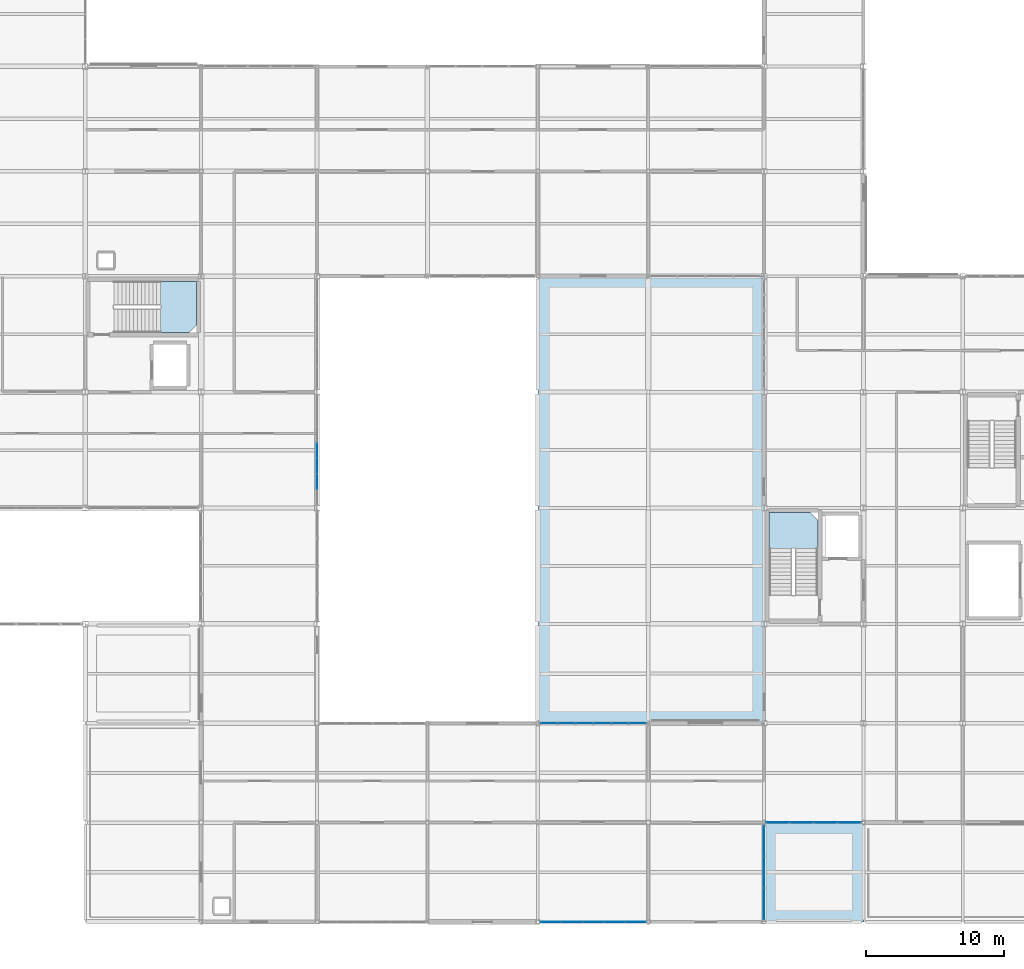
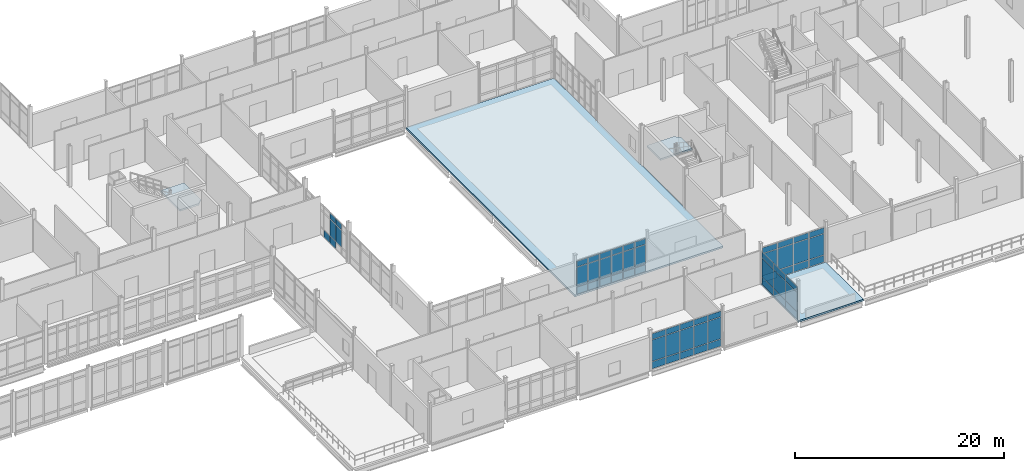
# One storey, part 124 of 186: 60 plates, 4 slabs, 7 elements without a shape of their own.
"""IFC4 building model written with IfcOpenShell, lengths in metres."""

import ifcopenshell
import ifcopenshell.guid

model = None  # the IFC model being written
_history = None  # IfcOwnerHistory: only IFC2X3 demands one
_inside = {}  # id of a spatial element -> (the spatial element, [elements in it])
_under = {}  # id of a project, library or spatial element -> (it, [spatial elements below it])
_declared = {}  # id of a project -> (the project, [libraries it declares])
_typed = {}  # id of a type object -> (the type object, [elements of that type])
_made_of = {}  # id of a material, layer set ... -> (it, [elements and type objects made of it])


def new_model(schema):
    """Start an empty IFC model of exactly this schema.

    Asked for "IFC4X3", IfcOpenShell would pick the latest addendum, in which some entities
    have other attributes; the version numbers below select the first issue.
    IFC2X3 requires an IfcOwnerHistory on every rooted entity: one is made here for all.
    """
    global model, _history
    if schema == "IFC4X3":
        model = ifcopenshell.file(schema_version=(4, 3, 0, 0))
    else:
        model = ifcopenshell.file(schema=schema)
    _inside.clear()
    _under.clear()
    _declared.clear()
    _typed.clear()
    _made_of.clear()
    _history = None
    if model.schema == "IFC2X3":
        org = make("IfcOrganization", Name="unknown")
        user = make(
            "IfcPersonAndOrganization",
            ThePerson=make("IfcPerson", FamilyName="unknown"),
            TheOrganization=org,
        )
        app = make(
            "IfcApplication",
            ApplicationDeveloper=org,
            Version="unknown",
            ApplicationFullName="unknown",
            ApplicationIdentifier="unknown",
        )
        _history = make(
            "IfcOwnerHistory",
            OwningUser=user,
            OwningApplication=app,
            ChangeAction="ADDED",
            CreationDate=0,
        )
    return model


def make(cls, **values):
    """One entity of the class cls with the attributes given. An attribute that is None is left unset."""
    return model.create_entity(
        cls, **{name: value for name, value in values.items() if value is not None}
    )


def rooted(cls, **values):
    """An entity with a GlobalId (a new one), such as an element, a storey or a relation."""
    return make(cls, GlobalId=ifcopenshell.guid.new(), OwnerHistory=_history, **values)


def si_unit(unit_type, name, prefix=None):
    """IfcSIUnit, for example si_unit("LENGTHUNIT", "METRE", prefix="MILLI")."""
    return make("IfcSIUnit", UnitType=unit_type, Prefix=prefix, Name=name)


def assignment(units):
    """IfcUnitAssignment: the units of a project."""
    return None if units is None else make("IfcUnitAssignment", Units=units)


def point(xyz):
    """IfcCartesianPoint."""
    return None if xyz is None else make("IfcCartesianPoint", Coordinates=xyz)


def direction(xyz):
    """IfcDirection."""
    return None if xyz is None else make("IfcDirection", DirectionRatios=xyz)


def frame(location, z_axis=None, x_axis=None):
    """IfcAxis2Placement3D, a coordinate frame: its origin and axes. An axis left out is left unset."""
    return make(
        "IfcAxis2Placement3D",
        Location=point(location),
        Axis=direction(z_axis),
        RefDirection=direction(x_axis),
    )


def frame_2d(location, x_axis=None):
    """IfcAxis2Placement2D, a coordinate frame in the plane: its origin and x axis."""
    return make(
        "IfcAxis2Placement2D", Location=point(location), RefDirection=direction(x_axis)
    )


def origin():
    """The frame at (0, 0, 0) with its axes left unset."""
    return frame((0.0, 0.0, 0.0))


def origin_2d():
    """The frame at (0, 0) in the plane with its x axis left unset."""
    return frame_2d((0.0, 0.0))


def place(relative_to, where):
    """IfcLocalPlacement: puts the frame where relative to a parent placement (None: the world)."""
    return make(
        "IfcLocalPlacement", PlacementRelTo=relative_to, RelativePlacement=where
    )


def context(
    kind, dimensions, precision=None, world=None, true_north=None, identifier=None
):
    """IfcGeometricRepresentationContext, for example the 3D "Model" context."""
    return make(
        "IfcGeometricRepresentationContext",
        ContextIdentifier=identifier,
        ContextType=kind,
        CoordinateSpaceDimension=dimensions,
        Precision=precision,
        WorldCoordinateSystem=world,
        TrueNorth=true_north,
    )


def subcontext(parent, identifier, kind, view, scale=None):
    """IfcGeometricRepresentationSubContext, for example "Body" below "Model"."""
    return make(
        "IfcGeometricRepresentationSubContext",
        ContextIdentifier=identifier,
        ContextType=kind,
        ParentContext=parent,
        TargetScale=scale,
        TargetView=view,
    )


def project(units=None, contexts=None):
    """IfcProject with its units and contexts."""
    return rooted(
        "IfcProject",
        Name="project",
        RepresentationContexts=contexts,
        UnitsInContext=assignment(units),
    )


def spatial(cls, under=None, at=None, **own):
    """A site, building, storey or space (cls), placed at a placement, below another one or the project."""
    s = rooted(cls, ObjectPlacement=at, **own)
    if under is not None:
        _under.setdefault(under.id(), (under, []))[1].append(s)
    return s


def polyline(points):
    """IfcPolyline through the points."""
    return make("IfcPolyline", Points=[point(p) for p in points])


def profile(cls, at=None, kind="AREA", **sizes):
    """A parametric profile (cls). Its sizes go by their IFC names, for example OverallWidth=200.0."""
    return make(cls, ProfileType=kind, Position=at, **sizes)


def rectangle(**sizes):
    """IfcRectangleProfileDef."""
    return profile("IfcRectangleProfileDef", **sizes)


def outline(outer, holes=None, kind="AREA"):
    """IfcArbitraryClosedProfileDef: a profile drawn as a closed curve; with holes, ...WithVoids."""
    if holes is None:
        return make("IfcArbitraryClosedProfileDef", ProfileType=kind, OuterCurve=outer)
    return make(
        "IfcArbitraryProfileDefWithVoids",
        ProfileType=kind,
        OuterCurve=outer,
        InnerCurves=holes,
    )


def extrude(swept, where, along, depth):
    """IfcExtrudedAreaSolid: the profile swept, set in the frame where, extruded along a direction by depth."""
    return make(
        "IfcExtrudedAreaSolid",
        SweptArea=swept,
        Position=where,
        ExtrudedDirection=direction(along),
        Depth=depth,
    )


def shape(context_of_items, identifier, shape_type, items):
    """IfcShapeRepresentation: the items that make up one representation, for example the "Body"."""
    return make(
        "IfcShapeRepresentation",
        ContextOfItems=context_of_items,
        RepresentationIdentifier=identifier,
        RepresentationType=shape_type,
        Items=items,
    )


def material(Name=None, Category=None):
    """IfcMaterial."""
    return make("IfcMaterial", Name=Name, Category=Category)


def layer(
    of_material, thickness, ventilated=None, Name=None, Category=None, Priority=None
):
    """IfcMaterialLayer: one layer of a wall or slab, of a material (None: an air gap)."""
    return make(
        "IfcMaterialLayer",
        Material=of_material,
        LayerThickness=thickness,
        IsVentilated=ventilated,
        Name=Name,
        Category=Category,
        Priority=Priority,
    )


def layer_set(layers, Name=None):
    """IfcMaterialLayerSet."""
    return make("IfcMaterialLayerSet", MaterialLayers=layers, LayerSetName=Name)


def made_of(thing, what):
    """Note that an element or type object is made of a material, layer set ...; save() writes the relation."""
    if what is not None:
        _made_of.setdefault(what.id(), (what, []))[1].append(thing)
    return thing


def type_object(cls, material=None, **own):
    """A type object (cls), such as IfcWallType, which elements share."""
    return made_of(rooted(cls, **own), material)


def element(
    cls,
    number,
    at=None,
    inside=None,
    cuts=None,
    type_object=None,
    material=None,
    context=None,
    identifier="Body",
    shape_type=None,
    held_by="IfcProductDefinitionShape",
    body=None,
    shapes=None,
    **own,
):
    """One element of the class cls, such as IfcWall. Its Tag is "e" and its number.

    at: its placement. inside: the storey or other place that contains it. cuts: it is an
    opening in that element (IfcRelVoidsElement). A single representation is given by context,
    identifier, shape_type and body (its items); several are given by shapes. held_by: the class
    of the entity that holds the representations. save() writes the other relations.
    """
    e = rooted(cls, Tag="e%d" % number, ObjectPlacement=at, **own)
    if body is not None:
        shapes = [shape(context, identifier, shape_type, body)]
    if shapes is not None:
        e.Representation = make(held_by, Representations=shapes)
    if inside is not None:
        _inside.setdefault(inside.id(), (inside, []))[1].append(e)
    if cuts is not None:
        rooted(
            "IfcRelVoidsElement", RelatingBuildingElement=cuts, RelatedOpeningElement=e
        )
    if type_object is not None:
        _typed.setdefault(type_object.id(), (type_object, []))[1].append(e)
    return made_of(e, material)


def aggregate(whole, parts):
    """IfcRelAggregates: a whole, such as a stair, and the parts it consists of."""
    return rooted("IfcRelAggregates", RelatingObject=whole, RelatedObjects=parts)


def save(model, path):
    """Write the relations noted so far, then the file.

    IfcRelAggregates (storeys below a building ...), IfcRelContainedInSpatialStructure (elements
    in a storey), IfcRelDefinesByType, IfcRelAssociatesMaterial and IfcRelDeclares: one each for
    every whole, place, type object, material and project.
    """
    for whole, parts in _under.values():
        aggregate(whole, parts)
    for where, things in _inside.values():
        rooted(
            "IfcRelContainedInSpatialStructure",
            RelatedElements=things,
            RelatingStructure=where,
        )
    for kind, things in _typed.values():
        rooted("IfcRelDefinesByType", RelatedObjects=things, RelatingType=kind)
    for what, things in _made_of.values():
        rooted("IfcRelAssociatesMaterial", RelatedObjects=things, RelatingMaterial=what)
    for by, libraries in _declared.values():
        rooted("IfcRelDeclares", RelatingContext=by, RelatedDefinitions=libraries)
    model.write(path)


model = new_model("IFC4")

# Units and contexts
model_context = context("Model", 3, precision=1e-05, world=origin(), true_north=direction((0.0, 1.0)))
body_context = subcontext(model_context, "Body", "Model", "MODEL_VIEW")
ifc_project = project(units=[si_unit("LENGTHUNIT", "METRE"), si_unit("AREAUNIT", "SQUARE_METRE"), si_unit("VOLUMEUNIT", "CUBIC_METRE"), si_unit("PLANEANGLEUNIT", "RADIAN"), si_unit("MASSUNIT", "GRAM", prefix="KILO")], contexts=[model_context])

# Site, building, storey
site_placement = place(None, origin())
site = spatial("IfcSite", under=ifc_project, at=site_placement, CompositionType="ELEMENT")
building_placement = place(site_placement, origin())
building = spatial("IfcBuilding", under=site, at=building_placement, Name="Calvrana Isthmian Art Gallery", CompositionType="ELEMENT")
storey_placement = place(building_placement, frame((0.0, 0.0, 5.39990234375)))
storey = spatial("IfcBuildingStorey", under=building, at=storey_placement, Name="L01", CompositionType="ELEMENT", Elevation=5.39990234375)

# Curtain wall, plates
ifc_material_1 = material(Name="Anodized bronze aluminium 6063-T6", Category="aluminium")
ifc_layer_1 = layer(ifc_material_1, 0.179931640625, Name="Anodized bronze aluminium 6063-T6")
ifc_layer_set_1 = layer_set([ifc_layer_1], Name="Anodized bronze aluminium 6063-T6")
curtain_wall_type_1 = type_object("IfcCurtainWallType", Name="CW-STICK-077X42", PredefinedType="NOTDEFINED", material=ifc_layer_set_1)
curtain_wall_1_placement = place(storey_placement, origin())
curtain_wall_1 = element("IfcCurtainWall", 1, at=curtain_wall_1_placement, inside=storey, type_object=curtain_wall_type_1, Name="Curtain wall CW-085", PredefinedType="NOTDEFINED")
ifc_material_2 = material(Name="Polychrome glazed terracotta", Category="masonry")
ifc_layer_2 = layer(ifc_material_2, 0.033935546875, Name="Polychrome glazed terracotta")
ifc_layer_set_2 = layer_set([ifc_layer_2], Name="Polychrome glazed terracotta")
plate_type_1 = type_object("IfcPlateType", Name="CWP-SPANDREL-34", PredefinedType="CURTAIN_PANEL", material=ifc_layer_set_2)
plate_1_placement = place(storey_placement, frame((103.5087890625, 0.0, 0.06005859375), z_axis=(0.0, 0.0, 1.0), x_axis=(-1.0, 0.0, 0.0)))
plate_1 = element("IfcPlate", 2, at=plate_1_placement, type_object=plate_type_1, Name="CW-085 panel 1.1", PredefinedType="CURTAIN_PANEL", context=body_context, shape_type="SweptSolid", body=[
    extrude(rectangle(XDim=1.459228515625, YDim=0.033935546875, at=origin_2d()), origin(), (0.0, 0.0, 1.0), 0.81005859375),
])
plate_2_placement = place(storey_placement, frame((103.5087890625, 0.0, 0.93017578125), z_axis=(0.0, 0.0, 1.0), x_axis=(-1.0, 0.0, 0.0)))
plate_2 = element("IfcPlate", 3, at=plate_2_placement, type_object=plate_type_1, Name="CW-085 panel 1.2", PredefinedType="CURTAIN_PANEL", context=body_context, shape_type="SweptSolid", body=[
    extrude(rectangle(XDim=1.459228515625, YDim=0.033935546875, at=origin_2d()), origin(), (0.0, 0.0, 1.0), 2.505126953125),
])
plate_3_placement = place(storey_placement, frame((103.5087890625, 0.0, 3.4951171875), z_axis=(0.0, 0.0, 1.0), x_axis=(-1.0, 0.0, 0.0)))
plate_3 = element("IfcPlate", 4, at=plate_3_placement, type_object=plate_type_1, Name="CW-085 panel 1.3", PredefinedType="CURTAIN_PANEL", context=body_context, shape_type="SweptSolid", body=[
    extrude(rectangle(XDim=1.459228515625, YDim=0.033935546875, at=origin_2d()), origin(), (0.0, 0.0, 1.0), 0.659912109375),
])
plate_4_placement = place(storey_placement, frame((101.974609375, 0.0, 0.06005859375), z_axis=(0.0, 0.0, 1.0), x_axis=(-1.0, 0.0, 0.0)))
plate_4 = element("IfcPlate", 5, at=plate_4_placement, type_object=plate_type_1, Name="CW-085 panel 2.1", PredefinedType="CURTAIN_PANEL", context=body_context, shape_type="SweptSolid", body=[
    extrude(rectangle(XDim=1.4892578125, YDim=0.033935546875, at=origin_2d()), origin(), (0.0, 0.0, 1.0), 0.81005859375),
])
plate_5_placement = place(storey_placement, frame((101.974609375, 0.0, 0.93017578125), z_axis=(0.0, 0.0, 1.0), x_axis=(-1.0, 0.0, 0.0)))
plate_5 = element("IfcPlate", 6, at=plate_5_placement, type_object=plate_type_1, Name="CW-085 panel 2.2", PredefinedType="CURTAIN_PANEL", context=body_context, shape_type="SweptSolid", body=[
    extrude(rectangle(XDim=1.4892578125, YDim=0.033935546875, at=origin_2d()), origin(), (0.0, 0.0, 1.0), 2.505126953125),
])
plate_6_placement = place(storey_placement, frame((101.974609375, 0.0, 3.4951171875), z_axis=(0.0, 0.0, 1.0), x_axis=(-1.0, 0.0, 0.0)))
plate_6 = element("IfcPlate", 7, at=plate_6_placement, type_object=plate_type_1, Name="CW-085 panel 2.3", PredefinedType="CURTAIN_PANEL", context=body_context, shape_type="SweptSolid", body=[
    extrude(rectangle(XDim=1.4892578125, YDim=0.033935546875, at=origin_2d()), origin(), (0.0, 0.0, 1.0), 0.659912109375),
])
plate_7_placement = place(storey_placement, frame((100.42529296875, 0.0, 0.06005859375), z_axis=(0.0, 0.0, 1.0), x_axis=(-1.0, 0.0, 0.0)))
plate_7 = element("IfcPlate", 8, at=plate_7_placement, type_object=plate_type_1, Name="CW-085 panel 3.1", PredefinedType="CURTAIN_PANEL", context=body_context, shape_type="SweptSolid", body=[
    extrude(rectangle(XDim=1.4892578125, YDim=0.033935546875, at=origin_2d()), origin(), (0.0, 0.0, 1.0), 0.81005859375),
])
plate_8_placement = place(storey_placement, frame((100.42529296875, 0.0, 0.93017578125), z_axis=(0.0, 0.0, 1.0), x_axis=(-1.0, 0.0, 0.0)))
plate_8 = element("IfcPlate", 9, at=plate_8_placement, type_object=plate_type_1, Name="CW-085 panel 3.2", PredefinedType="CURTAIN_PANEL", context=body_context, shape_type="SweptSolid", body=[
    extrude(rectangle(XDim=1.4892578125, YDim=0.033935546875, at=origin_2d()), origin(), (0.0, 0.0, 1.0), 2.505126953125),
])
plate_9_placement = place(storey_placement, frame((100.42529296875, 0.0, 3.4951171875), z_axis=(0.0, 0.0, 1.0), x_axis=(-1.0, 0.0, 0.0)))
plate_9 = element("IfcPlate", 10, at=plate_9_placement, type_object=plate_type_1, Name="CW-085 panel 3.3", PredefinedType="CURTAIN_PANEL", context=body_context, shape_type="SweptSolid", body=[
    extrude(rectangle(XDim=1.4892578125, YDim=0.033935546875, at=origin_2d()), origin(), (0.0, 0.0, 1.0), 0.659912109375),
])
plate_10_placement = place(storey_placement, frame((98.876220703125, 0.0, 0.06005859375), z_axis=(0.0, 0.0, 1.0), x_axis=(-1.0, 0.0, 0.0)))
plate_10 = element("IfcPlate", 11, at=plate_10_placement, type_object=plate_type_1, Name="CW-085 panel 4.1", PredefinedType="CURTAIN_PANEL", context=body_context, shape_type="SweptSolid", body=[
    extrude(rectangle(XDim=1.4892578125, YDim=0.033935546875, at=origin_2d()), origin(), (0.0, 0.0, 1.0), 0.81005859375),
])
plate_11_placement = place(storey_placement, frame((98.876220703125, 0.0, 0.93017578125), z_axis=(0.0, 0.0, 1.0), x_axis=(-1.0, 0.0, 0.0)))
plate_11 = element("IfcPlate", 12, at=plate_11_placement, type_object=plate_type_1, Name="CW-085 panel 4.2", PredefinedType="CURTAIN_PANEL", context=body_context, shape_type="SweptSolid", body=[
    extrude(rectangle(XDim=1.4892578125, YDim=0.033935546875, at=origin_2d()), origin(), (0.0, 0.0, 1.0), 2.505126953125),
])
plate_12_placement = place(storey_placement, frame((98.876220703125, 0.0, 3.4951171875), z_axis=(0.0, 0.0, 1.0), x_axis=(-1.0, 0.0, 0.0)))
plate_12 = element("IfcPlate", 13, at=plate_12_placement, type_object=plate_type_1, Name="CW-085 panel 4.3", PredefinedType="CURTAIN_PANEL", context=body_context, shape_type="SweptSolid", body=[
    extrude(rectangle(XDim=1.4892578125, YDim=0.033935546875, at=origin_2d()), origin(), (0.0, 0.0, 1.0), 0.659912109375),
])
plate_13_placement = place(storey_placement, frame((97.342041015625, 0.0, 0.06005859375), z_axis=(0.0, 0.0, 1.0), x_axis=(-1.0, 0.0, 0.0)))
plate_13 = element("IfcPlate", 14, at=plate_13_placement, type_object=plate_type_1, Name="CW-085 panel 5.1", PredefinedType="CURTAIN_PANEL", context=body_context, shape_type="SweptSolid", body=[
    extrude(rectangle(XDim=1.459228515625, YDim=0.033935546875, at=origin_2d()), origin(), (0.0, 0.0, 1.0), 0.81005859375),
])
plate_14_placement = place(storey_placement, frame((97.342041015625, 0.0, 0.93017578125), z_axis=(0.0, 0.0, 1.0), x_axis=(-1.0, 0.0, 0.0)))
plate_14 = element("IfcPlate", 15, at=plate_14_placement, type_object=plate_type_1, Name="CW-085 panel 5.2", PredefinedType="CURTAIN_PANEL", context=body_context, shape_type="SweptSolid", body=[
    extrude(rectangle(XDim=1.459228515625, YDim=0.033935546875, at=origin_2d()), origin(), (0.0, 0.0, 1.0), 2.505126953125),
])
plate_15_placement = place(storey_placement, frame((97.342041015625, 0.0, 3.4951171875), z_axis=(0.0, 0.0, 1.0), x_axis=(-1.0, 0.0, 0.0)))
plate_15 = element("IfcPlate", 16, at=plate_15_placement, type_object=plate_type_1, Name="CW-085 panel 5.3", PredefinedType="CURTAIN_PANEL", context=body_context, shape_type="SweptSolid", body=[
    extrude(rectangle(XDim=1.459228515625, YDim=0.033935546875, at=origin_2d()), origin(), (0.0, 0.0, 1.0), 0.659912109375),
])
aggregate(curtain_wall_1, [plate_1, plate_2, plate_3, plate_4, plate_5, plate_6, plate_7, plate_8, plate_9, plate_10, plate_11, plate_12, plate_13, plate_14, plate_15])

ifc_layer_3 = layer(ifc_material_1, 0.179931640625, Name="Anodized bronze aluminium 6063-T6")
ifc_layer_set_3 = layer_set([ifc_layer_3], Name="Anodized bronze aluminium 6063-T6")
curtain_wall_type_2 = type_object("IfcCurtainWallType", Name="CW-UNIT-069X39", PredefinedType="USERDEFINED", material=ifc_layer_set_3)
curtain_wall_2_placement = place(storey_placement, origin())
curtain_wall_2 = element("IfcCurtainWall", 17, at=curtain_wall_2_placement, inside=storey, type_object=curtain_wall_type_2, Name="Curtain wall CW-135", ObjectType="UNITISED CURTAIN WALL", PredefinedType="USERDEFINED")
plate_16_placement = place(storey_placement, frame((112.800048828125, 5.876708984375, 0.06005859375), z_axis=(0.0, 0.0, 1.0), x_axis=(0.0, -1.0, 0.0)))
plate_16 = element("IfcPlate", 18, at=plate_16_placement, type_object=plate_type_1, Name="CW-135 panel 1.1", PredefinedType="CURTAIN_PANEL", context=body_context, shape_type="SweptSolid", body=[
    extrude(rectangle(XDim=2.201904296875, YDim=0.033935546875, at=origin_2d()), origin(), (0.0, 0.0, 1.0), 0.81005859375),
])
plate_17_placement = place(storey_placement, frame((112.800048828125, 5.876708984375, 0.93017578125), z_axis=(0.0, 0.0, 1.0), x_axis=(0.0, -1.0, 0.0)))
plate_17 = element("IfcPlate", 19, at=plate_17_placement, type_object=plate_type_1, Name="CW-135 panel 1.2", PredefinedType="CURTAIN_PANEL", context=body_context, shape_type="SweptSolid", body=[
    extrude(rectangle(XDim=2.201904296875, YDim=0.033935546875, at=origin_2d()), origin(), (0.0, 0.0, 1.0), 2.202880859375),
])
plate_18_placement = place(storey_placement, frame((112.800048828125, 5.876708984375, 3.193359375), z_axis=(0.0, 0.0, 1.0), x_axis=(0.0, -1.0, 0.0)))
plate_18 = element("IfcPlate", 20, at=plate_18_placement, type_object=plate_type_1, Name="CW-135 panel 1.3", PredefinedType="CURTAIN_PANEL", context=body_context, shape_type="SweptSolid", body=[
    extrude(rectangle(XDim=2.201904296875, YDim=0.033935546875, at=origin_2d()), origin(), (0.0, 0.0, 1.0), 0.659912109375),
])
plate_19_placement = place(storey_placement, frame((112.800048828125, 3.58740234375, 0.06005859375), z_axis=(0.0, 0.0, 1.0), x_axis=(0.0, -1.0, 0.0)))
plate_19 = element("IfcPlate", 21, at=plate_19_placement, type_object=plate_type_1, Name="CW-135 panel 2.1", PredefinedType="CURTAIN_PANEL", context=body_context, shape_type="SweptSolid", body=[
    extrude(rectangle(XDim=2.23681640625, YDim=0.033935546875, at=origin_2d()), origin(), (0.0, 0.0, 1.0), 0.81005859375),
])
plate_20_placement = place(storey_placement, frame((112.800048828125, 3.58740234375, 0.93017578125), z_axis=(0.0, 0.0, 1.0), x_axis=(0.0, -1.0, 0.0)))
plate_20 = element("IfcPlate", 22, at=plate_20_placement, type_object=plate_type_1, Name="CW-135 panel 2.2", PredefinedType="CURTAIN_PANEL", context=body_context, shape_type="SweptSolid", body=[
    extrude(rectangle(XDim=2.23681640625, YDim=0.033935546875, at=origin_2d()), origin(), (0.0, 0.0, 1.0), 2.202880859375),
])
plate_21_placement = place(storey_placement, frame((112.800048828125, 3.58740234375, 3.193359375), z_axis=(0.0, 0.0, 1.0), x_axis=(0.0, -1.0, 0.0)))
plate_21 = element("IfcPlate", 23, at=plate_21_placement, type_object=plate_type_1, Name="CW-135 panel 2.3", PredefinedType="CURTAIN_PANEL", context=body_context, shape_type="SweptSolid", body=[
    extrude(rectangle(XDim=2.23681640625, YDim=0.033935546875, at=origin_2d()), origin(), (0.0, 0.0, 1.0), 0.659912109375),
])
plate_22_placement = place(storey_placement, frame((112.800048828125, 1.2978515625, 0.06005859375), z_axis=(0.0, 0.0, 1.0), x_axis=(0.0, -1.0, 0.0)))
plate_22 = element("IfcPlate", 24, at=plate_22_placement, type_object=plate_type_1, Name="CW-135 panel 3.1", PredefinedType="CURTAIN_PANEL", context=body_context, shape_type="SweptSolid", body=[
    extrude(rectangle(XDim=2.201904296875, YDim=0.033935546875, at=origin_2d()), origin(), (0.0, 0.0, 1.0), 0.81005859375),
])
plate_23_placement = place(storey_placement, frame((112.800048828125, 1.2978515625, 0.93017578125), z_axis=(0.0, 0.0, 1.0), x_axis=(0.0, -1.0, 0.0)))
plate_23 = element("IfcPlate", 25, at=plate_23_placement, type_object=plate_type_1, Name="CW-135 panel 3.2", PredefinedType="CURTAIN_PANEL", context=body_context, shape_type="SweptSolid", body=[
    extrude(rectangle(XDim=2.201904296875, YDim=0.033935546875, at=origin_2d()), origin(), (0.0, 0.0, 1.0), 2.202880859375),
])
plate_24_placement = place(storey_placement, frame((112.800048828125, 1.2978515625, 3.193359375), z_axis=(0.0, 0.0, 1.0), x_axis=(0.0, -1.0, 0.0)))
plate_24 = element("IfcPlate", 26, at=plate_24_placement, type_object=plate_type_1, Name="CW-135 panel 3.3", PredefinedType="CURTAIN_PANEL", context=body_context, shape_type="SweptSolid", body=[
    extrude(rectangle(XDim=2.201904296875, YDim=0.033935546875, at=origin_2d()), origin(), (0.0, 0.0, 1.0), 0.659912109375),
])
aggregate(curtain_wall_2, [plate_16, plate_17, plate_18, plate_19, plate_20, plate_21, plate_22, plate_23, plate_24])

ifc_layer_4 = layer(ifc_material_1, 0.179931640625, Name="Anodized bronze aluminium 6063-T6")
ifc_layer_set_4 = layer_set([ifc_layer_4], Name="Anodized bronze aluminium 6063-T6")
curtain_wall_type_3 = type_object("IfcCurtainWallType", Name="CW-UNIT-070X42", PredefinedType="USERDEFINED", material=ifc_layer_set_4)
curtain_wall_3_placement = place(storey_placement, origin())
curtain_wall_3 = element("IfcCurtainWall", 27, at=curtain_wall_3_placement, inside=storey, type_object=curtain_wall_type_3, Name="Curtain wall CW-086", ObjectType="UNITISED CURTAIN WALL", PredefinedType="USERDEFINED")
ifc_material_3 = material(Name="Low-E laminated solar glass", Category="glass")
ifc_layer_5 = layer(ifc_material_3, 0.028076171875, Name="Low-E laminated solar glass")
ifc_layer_set_5 = layer_set([ifc_layer_5], Name="Low-E laminated solar glass")
plate_type_2 = type_object("IfcPlateType", Name="CWP-VISION-28", PredefinedType="CURTAIN_PANEL", material=ifc_layer_set_5)
plate_25_placement = place(storey_placement, frame((118.9853515625, 7.199951171875, 0.06005859375), z_axis=(0.0, 0.0, 1.0), x_axis=(-1.0, 0.0, 0.0)))
plate_25 = element("IfcPlate", 28, at=plate_25_placement, type_object=plate_type_2, Name="CW-086 panel 1.1", PredefinedType="CURTAIN_PANEL", context=body_context, shape_type="SweptSolid", body=[
    extrude(rectangle(XDim=1.645263671875, YDim=0.028076171875, at=origin_2d()), origin(), (0.0, 0.0, 1.0), 0.81005859375),
])
plate_26_placement = place(storey_placement, frame((118.9853515625, 7.199951171875, 0.929931640625), z_axis=(0.0, 0.0, 1.0), x_axis=(-1.0, 0.0, 0.0)))
plate_26 = element("IfcPlate", 29, at=plate_26_placement, type_object=plate_type_2, Name="CW-086 panel 1.2", PredefinedType="CURTAIN_PANEL", context=body_context, shape_type="SweptSolid", body=[
    extrude(rectangle(XDim=1.645263671875, YDim=0.028076171875, at=origin_2d()), origin(), (0.0, 0.0, 1.0), 2.4541015625),
])
plate_27_placement = place(storey_placement, frame((118.9853515625, 7.199951171875, 3.4443359375), z_axis=(0.0, 0.0, 1.0), x_axis=(-1.0, 0.0, 0.0)))
plate_27 = element("IfcPlate", 30, at=plate_27_placement, type_object=plate_type_2, Name="CW-086 panel 1.3", PredefinedType="CURTAIN_PANEL", context=body_context, shape_type="SweptSolid", body=[
    extrude(rectangle(XDim=1.645263671875, YDim=0.028076171875, at=origin_2d()), origin(), (0.0, 0.0, 1.0), 0.659912109375),
])
plate_28_placement = place(storey_placement, frame((117.2587890625, 7.199951171875, 0.06005859375), z_axis=(0.0, 0.0, 1.0), x_axis=(-1.0, 0.0, 0.0)))
plate_28 = element("IfcPlate", 31, at=plate_28_placement, type_object=plate_type_2, Name="CW-086 panel 2.1", PredefinedType="CURTAIN_PANEL", context=body_context, shape_type="SweptSolid", body=[
    extrude(rectangle(XDim=1.677734375, YDim=0.028076171875, at=origin_2d()), origin(), (0.0, 0.0, 1.0), 0.81005859375),
])
plate_29_placement = place(storey_placement, frame((117.2587890625, 7.199951171875, 0.929931640625), z_axis=(0.0, 0.0, 1.0), x_axis=(-1.0, 0.0, 0.0)))
plate_29 = element("IfcPlate", 32, at=plate_29_placement, type_object=plate_type_2, Name="CW-086 panel 2.2", PredefinedType="CURTAIN_PANEL", context=body_context, shape_type="SweptSolid", body=[
    extrude(rectangle(XDim=1.677734375, YDim=0.028076171875, at=origin_2d()), origin(), (0.0, 0.0, 1.0), 2.4541015625),
])
plate_30_placement = place(storey_placement, frame((117.2587890625, 7.199951171875, 3.4443359375), z_axis=(0.0, 0.0, 1.0), x_axis=(-1.0, 0.0, 0.0)))
plate_30 = element("IfcPlate", 33, at=plate_30_placement, type_object=plate_type_2, Name="CW-086 panel 2.3", PredefinedType="CURTAIN_PANEL", context=body_context, shape_type="SweptSolid", body=[
    extrude(rectangle(XDim=1.677734375, YDim=0.028076171875, at=origin_2d()), origin(), (0.0, 0.0, 1.0), 0.659912109375),
])
plate_31_placement = place(storey_placement, frame((115.515869140625, 7.199951171875, 0.06005859375), z_axis=(0.0, 0.0, 1.0), x_axis=(-1.0, 0.0, 0.0)))
plate_31 = element("IfcPlate", 34, at=plate_31_placement, type_object=plate_type_2, Name="CW-086 panel 3.1", PredefinedType="CURTAIN_PANEL", context=body_context, shape_type="SweptSolid", body=[
    extrude(rectangle(XDim=1.677734375, YDim=0.028076171875, at=origin_2d()), origin(), (0.0, 0.0, 1.0), 0.81005859375),
])
plate_32_placement = place(storey_placement, frame((115.515869140625, 7.199951171875, 0.929931640625), z_axis=(0.0, 0.0, 1.0), x_axis=(-1.0, 0.0, 0.0)))
plate_32 = element("IfcPlate", 35, at=plate_32_placement, type_object=plate_type_2, Name="CW-086 panel 3.2", PredefinedType="CURTAIN_PANEL", context=body_context, shape_type="SweptSolid", body=[
    extrude(rectangle(XDim=1.677734375, YDim=0.028076171875, at=origin_2d()), origin(), (0.0, 0.0, 1.0), 2.4541015625),
])
plate_33_placement = place(storey_placement, frame((115.515869140625, 7.199951171875, 3.4443359375), z_axis=(0.0, 0.0, 1.0), x_axis=(-1.0, 0.0, 0.0)))
plate_33 = element("IfcPlate", 36, at=plate_33_placement, type_object=plate_type_2, Name="CW-086 panel 3.3", PredefinedType="CURTAIN_PANEL", context=body_context, shape_type="SweptSolid", body=[
    extrude(rectangle(XDim=1.677734375, YDim=0.028076171875, at=origin_2d()), origin(), (0.0, 0.0, 1.0), 0.659912109375),
])
plate_34_placement = place(storey_placement, frame((113.789306640625, 7.199951171875, 0.06005859375), z_axis=(0.0, 0.0, 1.0), x_axis=(-1.0, 0.0, 0.0)))
plate_34 = element("IfcPlate", 37, at=plate_34_placement, type_object=plate_type_2, Name="CW-086 panel 4.1", PredefinedType="CURTAIN_PANEL", context=body_context, shape_type="SweptSolid", body=[
    extrude(rectangle(XDim=1.645263671875, YDim=0.028076171875, at=origin_2d()), origin(), (0.0, 0.0, 1.0), 0.81005859375),
])
plate_35_placement = place(storey_placement, frame((113.789306640625, 7.199951171875, 0.929931640625), z_axis=(0.0, 0.0, 1.0), x_axis=(-1.0, 0.0, 0.0)))
plate_35 = element("IfcPlate", 38, at=plate_35_placement, type_object=plate_type_2, Name="CW-086 panel 4.2", PredefinedType="CURTAIN_PANEL", context=body_context, shape_type="SweptSolid", body=[
    extrude(rectangle(XDim=1.645263671875, YDim=0.028076171875, at=origin_2d()), origin(), (0.0, 0.0, 1.0), 2.4541015625),
])
plate_36_placement = place(storey_placement, frame((113.789306640625, 7.199951171875, 3.4443359375), z_axis=(0.0, 0.0, 1.0), x_axis=(-1.0, 0.0, 0.0)))
plate_36 = element("IfcPlate", 39, at=plate_36_placement, type_object=plate_type_2, Name="CW-086 panel 4.3", PredefinedType="CURTAIN_PANEL", context=body_context, shape_type="SweptSolid", body=[
    extrude(rectangle(XDim=1.645263671875, YDim=0.028076171875, at=origin_2d()), origin(), (0.0, 0.0, 1.0), 0.659912109375),
])
aggregate(curtain_wall_3, [plate_25, plate_26, plate_27, plate_28, plate_29, plate_30, plate_31, plate_32, plate_33, plate_34, plate_35, plate_36])

ifc_layer_6 = layer(ifc_material_1, 0.179931640625, Name="Anodized bronze aluminium 6063-T6")
ifc_layer_set_6 = layer_set([ifc_layer_6], Name="Anodized bronze aluminium 6063-T6")
curtain_wall_type_4 = type_object("IfcCurtainWallType", Name="CW-UNIT-078X40", PredefinedType="USERDEFINED", material=ifc_layer_set_6)
curtain_wall_4_placement = place(storey_placement, origin())
curtain_wall_4 = element("IfcCurtainWall", 40, at=curtain_wall_4_placement, inside=storey, type_object=curtain_wall_type_4, Name="Curtain wall CW-088", ObjectType="UNITISED CURTAIN WALL", PredefinedType="USERDEFINED")
plate_37_placement = place(storey_placement, frame((97.193359375, 14.39990234375, 0.070068359375), z_axis=(0.0, 0.0, 1.0), x_axis=(1.0, 0.0, 0.0)))
plate_37 = element("IfcPlate", 41, at=plate_37_placement, type_object=plate_type_2, Name="CW-088 panel 1.1", PredefinedType="CURTAIN_PANEL", context=body_context, shape_type="SweptSolid", body=[
    extrude(rectangle(XDim=1.1826171875, YDim=0.028076171875, at=origin_2d()), origin(), (0.0, 0.0, 1.0), 0.794921875),
])
plate_38_placement = place(storey_placement, frame((97.193359375, 14.39990234375, 0.93505859375), z_axis=(0.0, 0.0, 1.0), x_axis=(1.0, 0.0, 0.0)))
plate_38 = element("IfcPlate", 42, at=plate_38_placement, type_object=plate_type_2, Name="CW-088 panel 1.2", PredefinedType="CURTAIN_PANEL", context=body_context, shape_type="SweptSolid", body=[
    extrude(rectangle(XDim=1.1826171875, YDim=0.028076171875, at=origin_2d()), origin(), (0.0, 0.0, 1.0), 2.2509765625),
])
plate_39_placement = place(storey_placement, frame((97.193359375, 14.39990234375, 3.256103515625), z_axis=(0.0, 0.0, 1.0), x_axis=(1.0, 0.0, 0.0)))
plate_39 = element("IfcPlate", 43, at=plate_39_placement, type_object=plate_type_2, Name="CW-088 panel 1.3", PredefinedType="CURTAIN_PANEL", context=body_context, shape_type="SweptSolid", body=[
    extrude(rectangle(XDim=1.1826171875, YDim=0.028076171875, at=origin_2d()), origin(), (0.0, 0.0, 1.0), 0.64501953125),
])
plate_40_placement = place(storey_placement, frame((98.469970703125, 14.39990234375, 0.070068359375), z_axis=(0.0, 0.0, 1.0), x_axis=(1.0, 0.0, 0.0)))
plate_40 = element("IfcPlate", 44, at=plate_40_placement, type_object=plate_type_2, Name="CW-088 panel 2.1", PredefinedType="CURTAIN_PANEL", context=body_context, shape_type="SweptSolid", body=[
    extrude(rectangle(XDim=1.22021484375, YDim=0.028076171875, at=origin_2d()), origin(), (0.0, 0.0, 1.0), 0.794921875),
])
plate_41_placement = place(storey_placement, frame((98.469970703125, 14.39990234375, 0.93505859375), z_axis=(0.0, 0.0, 1.0), x_axis=(1.0, 0.0, 0.0)))
plate_41 = element("IfcPlate", 45, at=plate_41_placement, type_object=plate_type_2, Name="CW-088 panel 2.2", PredefinedType="CURTAIN_PANEL", context=body_context, shape_type="SweptSolid", body=[
    extrude(rectangle(XDim=1.22021484375, YDim=0.028076171875, at=origin_2d()), origin(), (0.0, 0.0, 1.0), 2.2509765625),
])
plate_42_placement = place(storey_placement, frame((98.469970703125, 14.39990234375, 3.256103515625), z_axis=(0.0, 0.0, 1.0), x_axis=(1.0, 0.0, 0.0)))
plate_42 = element("IfcPlate", 46, at=plate_42_placement, type_object=plate_type_2, Name="CW-088 panel 2.3", PredefinedType="CURTAIN_PANEL", context=body_context, shape_type="SweptSolid", body=[
    extrude(rectangle(XDim=1.22021484375, YDim=0.028076171875, at=origin_2d()), origin(), (0.0, 0.0, 1.0), 0.64501953125),
])
plate_43_placement = place(storey_placement, frame((99.76513671875, 14.39990234375, 0.070068359375), z_axis=(0.0, 0.0, 1.0), x_axis=(1.0, 0.0, 0.0)))
plate_43 = element("IfcPlate", 47, at=plate_43_placement, type_object=plate_type_2, Name="CW-088 panel 3.1", PredefinedType="CURTAIN_PANEL", context=body_context, shape_type="SweptSolid", body=[
    extrude(rectangle(XDim=1.22021484375, YDim=0.028076171875, at=origin_2d()), origin(), (0.0, 0.0, 1.0), 0.794921875),
])
plate_44_placement = place(storey_placement, frame((99.76513671875, 14.39990234375, 0.93505859375), z_axis=(0.0, 0.0, 1.0), x_axis=(1.0, 0.0, 0.0)))
plate_44 = element("IfcPlate", 48, at=plate_44_placement, type_object=plate_type_2, Name="CW-088 panel 3.2", PredefinedType="CURTAIN_PANEL", context=body_context, shape_type="SweptSolid", body=[
    extrude(rectangle(XDim=1.22021484375, YDim=0.028076171875, at=origin_2d()), origin(), (0.0, 0.0, 1.0), 2.2509765625),
])
plate_45_placement = place(storey_placement, frame((99.76513671875, 14.39990234375, 3.256103515625), z_axis=(0.0, 0.0, 1.0), x_axis=(1.0, 0.0, 0.0)))
plate_45 = element("IfcPlate", 49, at=plate_45_placement, type_object=plate_type_2, Name="CW-088 panel 3.3", PredefinedType="CURTAIN_PANEL", context=body_context, shape_type="SweptSolid", body=[
    extrude(rectangle(XDim=1.22021484375, YDim=0.028076171875, at=origin_2d()), origin(), (0.0, 0.0, 1.0), 0.64501953125),
])
plate_46_placement = place(storey_placement, frame((101.060302734375, 14.39990234375, 0.070068359375), z_axis=(0.0, 0.0, 1.0), x_axis=(1.0, 0.0, 0.0)))
plate_46 = element("IfcPlate", 50, at=plate_46_placement, type_object=plate_type_2, Name="CW-088 panel 4.1", PredefinedType="CURTAIN_PANEL", context=body_context, shape_type="SweptSolid", body=[
    extrude(rectangle(XDim=1.22021484375, YDim=0.028076171875, at=origin_2d()), origin(), (0.0, 0.0, 1.0), 0.794921875),
])
plate_47_placement = place(storey_placement, frame((101.060302734375, 14.39990234375, 0.93505859375), z_axis=(0.0, 0.0, 1.0), x_axis=(1.0, 0.0, 0.0)))
plate_47 = element("IfcPlate", 51, at=plate_47_placement, type_object=plate_type_2, Name="CW-088 panel 4.2", PredefinedType="CURTAIN_PANEL", context=body_context, shape_type="SweptSolid", body=[
    extrude(rectangle(XDim=1.22021484375, YDim=0.028076171875, at=origin_2d()), origin(), (0.0, 0.0, 1.0), 2.2509765625),
])
plate_48_placement = place(storey_placement, frame((101.060302734375, 14.39990234375, 3.256103515625), z_axis=(0.0, 0.0, 1.0), x_axis=(1.0, 0.0, 0.0)))
plate_48 = element("IfcPlate", 52, at=plate_48_placement, type_object=plate_type_2, Name="CW-088 panel 4.3", PredefinedType="CURTAIN_PANEL", context=body_context, shape_type="SweptSolid", body=[
    extrude(rectangle(XDim=1.22021484375, YDim=0.028076171875, at=origin_2d()), origin(), (0.0, 0.0, 1.0), 0.64501953125),
])
plate_49_placement = place(storey_placement, frame((102.35546875, 14.39990234375, 0.070068359375), z_axis=(0.0, 0.0, 1.0), x_axis=(1.0, 0.0, 0.0)))
plate_49 = element("IfcPlate", 53, at=plate_49_placement, type_object=plate_type_2, Name="CW-088 panel 5.1", PredefinedType="CURTAIN_PANEL", context=body_context, shape_type="SweptSolid", body=[
    extrude(rectangle(XDim=1.22021484375, YDim=0.028076171875, at=origin_2d()), origin(), (0.0, 0.0, 1.0), 0.794921875),
])
plate_50_placement = place(storey_placement, frame((102.35546875, 14.39990234375, 0.93505859375), z_axis=(0.0, 0.0, 1.0), x_axis=(1.0, 0.0, 0.0)))
plate_50 = element("IfcPlate", 54, at=plate_50_placement, type_object=plate_type_2, Name="CW-088 panel 5.2", PredefinedType="CURTAIN_PANEL", context=body_context, shape_type="SweptSolid", body=[
    extrude(rectangle(XDim=1.22021484375, YDim=0.028076171875, at=origin_2d()), origin(), (0.0, 0.0, 1.0), 2.2509765625),
])
plate_51_placement = place(storey_placement, frame((102.35546875, 14.39990234375, 3.256103515625), z_axis=(0.0, 0.0, 1.0), x_axis=(1.0, 0.0, 0.0)))
plate_51 = element("IfcPlate", 55, at=plate_51_placement, type_object=plate_type_2, Name="CW-088 panel 5.3", PredefinedType="CURTAIN_PANEL", context=body_context, shape_type="SweptSolid", body=[
    extrude(rectangle(XDim=1.22021484375, YDim=0.028076171875, at=origin_2d()), origin(), (0.0, 0.0, 1.0), 0.64501953125),
])
plate_52_placement = place(storey_placement, frame((103.632080078125, 14.39990234375, 0.070068359375), z_axis=(0.0, 0.0, 1.0), x_axis=(1.0, 0.0, 0.0)))
plate_52 = element("IfcPlate", 56, at=plate_52_placement, type_object=plate_type_2, Name="CW-088 panel 6.1", PredefinedType="CURTAIN_PANEL", context=body_context, shape_type="SweptSolid", body=[
    extrude(rectangle(XDim=1.1826171875, YDim=0.028076171875, at=origin_2d()), origin(), (0.0, 0.0, 1.0), 0.794921875),
])
plate_53_placement = place(storey_placement, frame((103.632080078125, 14.39990234375, 0.93505859375), z_axis=(0.0, 0.0, 1.0), x_axis=(1.0, 0.0, 0.0)))
plate_53 = element("IfcPlate", 57, at=plate_53_placement, type_object=plate_type_2, Name="CW-088 panel 6.2", PredefinedType="CURTAIN_PANEL", context=body_context, shape_type="SweptSolid", body=[
    extrude(rectangle(XDim=1.1826171875, YDim=0.028076171875, at=origin_2d()), origin(), (0.0, 0.0, 1.0), 2.2509765625),
])
plate_54_placement = place(storey_placement, frame((103.632080078125, 14.39990234375, 3.256103515625), z_axis=(0.0, 0.0, 1.0), x_axis=(1.0, 0.0, 0.0)))
plate_54 = element("IfcPlate", 58, at=plate_54_placement, type_object=plate_type_2, Name="CW-088 panel 6.3", PredefinedType="CURTAIN_PANEL", context=body_context, shape_type="SweptSolid", body=[
    extrude(rectangle(XDim=1.1826171875, YDim=0.028076171875, at=origin_2d()), origin(), (0.0, 0.0, 1.0), 0.64501953125),
])
aggregate(curtain_wall_4, [plate_37, plate_38, plate_39, plate_40, plate_41, plate_42, plate_43, plate_44, plate_45, plate_46, plate_47, plate_48, plate_49, plate_50, plate_51, plate_52, plate_53, plate_54])

ifc_layer_7 = layer(ifc_material_1, 0.179931640625, Name="Anodized bronze aluminium 6063-T6")
ifc_layer_set_7 = layer_set([ifc_layer_7], Name="Anodized bronze aluminium 6063-T6")
curtain_wall_type_5 = type_object("IfcCurtainWallType", Name="CW-STICK-080X37", PredefinedType="NOTDEFINED", material=ifc_layer_set_7)
curtain_wall_5_placement = place(storey_placement, origin())
curtain_wall_5 = element("IfcCurtainWall", 59, at=curtain_wall_5_placement, inside=storey, type_object=curtain_wall_type_5, Name="Curtain wall CW-132", PredefinedType="NOTDEFINED")
plate_55_placement = place(storey_placement, frame((80.39990234375, 34.19921875, 0.06494140625), z_axis=(0.0, 0.0, 1.0), x_axis=(0.0, -1.0, 0.0)))
plate_55 = element("IfcPlate", 60, at=plate_55_placement, type_object=plate_type_2, Name="CW-132 panel 4.1", PredefinedType="CURTAIN_PANEL", context=body_context, shape_type="SweptSolid", body=[
    extrude(rectangle(XDim=1.08642578125, YDim=0.028076171875, at=origin_2d()), origin(), (0.0, 0.0, 1.0), 0.802490234375),
])
plate_56_placement = place(storey_placement, frame((80.39990234375, 33.052734375, 0.06494140625), z_axis=(0.0, 0.0, 1.0), x_axis=(0.0, -1.0, 0.0)))
plate_56 = element("IfcPlate", 61, at=plate_56_placement, type_object=plate_type_2, Name="CW-132 panel 5.1", PredefinedType="CURTAIN_PANEL", context=body_context, shape_type="SweptSolid", body=[
    extrude(rectangle(XDim=1.08642578125, YDim=0.028076171875, at=origin_2d()), origin(), (0.0, 0.0, 1.0), 0.802490234375),
])
plate_57_placement = place(storey_placement, frame((80.39990234375, 33.052734375, 0.9326171875), z_axis=(0.0, 0.0, 1.0), x_axis=(0.0, -1.0, 0.0)))
plate_57 = element("IfcPlate", 62, at=plate_57_placement, type_object=plate_type_2, Name="CW-132 panel 5.2", PredefinedType="CURTAIN_PANEL", context=body_context, shape_type="SweptSolid", body=[
    extrude(rectangle(XDim=1.08642578125, YDim=0.028076171875, at=origin_2d()), origin(), (0.0, 0.0, 1.0), 1.948974609375),
])
plate_58_placement = place(storey_placement, frame((80.39990234375, 33.052734375, 2.94677734375), z_axis=(0.0, 0.0, 1.0), x_axis=(0.0, -1.0, 0.0)))
plate_58 = element("IfcPlate", 63, at=plate_58_placement, type_object=plate_type_2, Name="CW-132 panel 5.3", PredefinedType="CURTAIN_PANEL", context=body_context, shape_type="SweptSolid", body=[
    extrude(rectangle(XDim=1.08642578125, YDim=0.028076171875, at=origin_2d()), origin(), (0.0, 0.0, 1.0), 0.652587890625),
])
plate_59_placement = place(storey_placement, frame((80.39990234375, 31.90625, 0.9326171875), z_axis=(0.0, 0.0, 1.0), x_axis=(0.0, -1.0, 0.0)))
plate_59 = element("IfcPlate", 64, at=plate_59_placement, type_object=plate_type_2, Name="CW-132 panel 6.2", PredefinedType="CURTAIN_PANEL", context=body_context, shape_type="SweptSolid", body=[
    extrude(rectangle(XDim=1.08642578125, YDim=0.028076171875, at=origin_2d()), origin(), (0.0, 0.0, 1.0), 1.948974609375),
])
plate_60_placement = place(storey_placement, frame((80.39990234375, 31.90625, 2.94677734375), z_axis=(0.0, 0.0, 1.0), x_axis=(0.0, -1.0, 0.0)))
plate_60 = element("IfcPlate", 65, at=plate_60_placement, type_object=plate_type_2, Name="CW-132 panel 6.3", PredefinedType="CURTAIN_PANEL", context=body_context, shape_type="SweptSolid", body=[
    extrude(rectangle(XDim=1.08642578125, YDim=0.028076171875, at=origin_2d()), origin(), (0.0, 0.0, 1.0), 0.652587890625),
])
aggregate(curtain_wall_5, [plate_55, plate_56, plate_57, plate_58, plate_59, plate_60])

# Stair, slab
ifc_material_4 = material(Name="Concrete C40/50", Category="concrete")
stair_type_1 = type_object("IfcStairType", Name="STR-HT-480W", PredefinedType="HALF_TURN_STAIR", material=ifc_material_4)
stair_1_placement = place(storey_placement, origin())
stair_1 = element("IfcStair", 66, at=stair_1_placement, inside=storey, type_object=stair_type_1, Name="Protected exit stair ST-2 (L01)", PredefinedType="HALF_TURN_STAIR")
ifc_layer_8 = layer(ifc_material_4, 0.199951171875, Name="Concrete C40/50")
ifc_layer_set_8 = layer_set([ifc_layer_8], Name="Concrete C40/50")
slab_type_1 = type_object("IfcSlabType", Name="SLB-LAND-200", PredefinedType="LANDING", material=ifc_layer_set_8)
slab_1_placement = place(storey_placement, frame((0.0, 0.0, 2.2001953125)))
slab_1 = element("IfcSlab", 67, at=slab_1_placement, type_object=slab_type_1, Name="ST-2 landing 1", PredefinedType="LANDING", context=body_context, shape_type="SweptSolid", body=[
    extrude(outline(polyline([(69.06005859375, 42.7099609375), (71.139892578125, 42.7099609375), (71.659912109375, 43.22998046875), (71.659912109375, 46.429931640625), (69.06005859375, 46.429931640625), (69.06005859375, 42.7099609375)])), origin(), (0.0, 0.0, 1.0), 0.199951171875),
])
aggregate(stair_1, [slab_1])

stair_type_2 = type_object("IfcStairType", Name="STR-HT-480", PredefinedType="HALF_TURN_STAIR", material=ifc_material_4)
stair_2_placement = place(storey_placement, origin())
stair_2 = element("IfcStair", 68, at=stair_2_placement, inside=storey, type_object=stair_type_2, Name="Protected exit stair ST-3 (L01)", PredefinedType="HALF_TURN_STAIR")
slab_2_placement = place(storey_placement, frame((0.0, 0.0, 2.2001953125)))
slab_2 = element("IfcSlab", 69, at=slab_2_placement, type_object=slab_type_1, Name="ST-3 landing 1", PredefinedType="LANDING", context=body_context, shape_type="SweptSolid", body=[
    extrude(outline(polyline([(116.68994140625, 27.06005859375), (116.68994140625, 29.139892578125), (116.169921875, 29.659912109375), (113.169921875, 29.659912109375), (113.169921875, 27.06005859375), (116.68994140625, 27.06005859375)])), origin(), (0.0, 0.0, 1.0), 0.199951171875),
])
aggregate(stair_2, [slab_2])

# Slabs
ifc_layer_9 = layer(ifc_material_4, 0.199951171875, Name="Concrete C40/50")
ifc_layer_set_9 = layer_set([ifc_layer_9], Name="Concrete C40/50")
slab_type_2 = type_object("IfcSlabType", Name="SLB-ROOF-200", PredefinedType="ROOF", material=ifc_layer_set_9)
slab_3_placement = place(storey_placement, frame((0.0, 0.0, -0.199951171875)))
element("IfcSlab", 70, at=slab_3_placement, inside=storey, type_object=slab_type_2, Name="Flat roof slab ROOF_V2E_L01", PredefinedType="ROOF", context=body_context, shape_type="SweptSolid", body=[
    extrude(outline(polyline([(96.39990234375, 14.39990234375), (112.800048828125, 14.39990234375), (112.800048828125, 46.800048828125), (96.39990234375, 46.800048828125), (96.39990234375, 14.39990234375)])), origin(), (0.0, 0.0, 1.0), 0.199951171875),
])
slab_4_placement = place(storey_placement, frame((0.0, 0.0, -0.199951171875)))
element("IfcSlab", 71, at=slab_4_placement, inside=storey, type_object=slab_type_2, Name="Flat roof slab ROOF_V4SW_L01", PredefinedType="ROOF", context=body_context, shape_type="SweptSolid", body=[
    extrude(outline(polyline([(112.800048828125, 0.0), (120.0, 0.0), (120.0, 7.199951171875), (112.800048828125, 7.199951171875), (112.800048828125, 0.0)])), origin(), (0.0, 0.0, 1.0), 0.199951171875),
])

save(model, "model.ifc")
